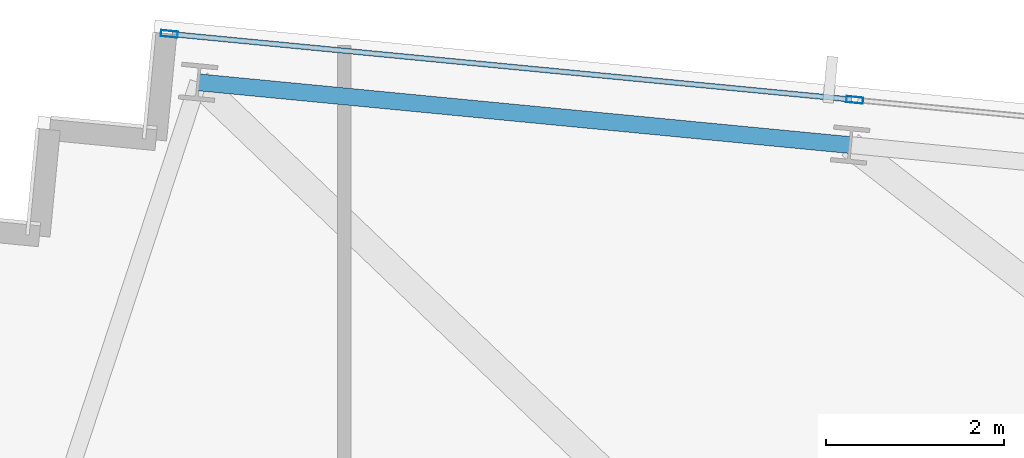
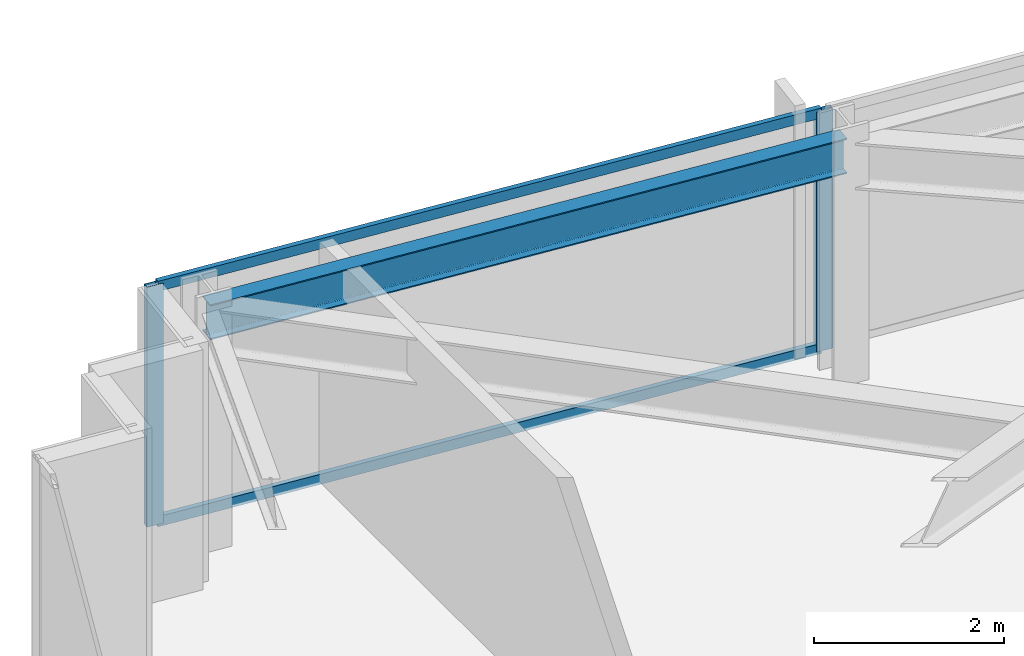
# One storey, part 23 of 38: 4 members, 1 beam, 1 element without a shape of its own.
"""IFC4 building model written with IfcOpenShell, lengths in metres."""

from ifc_helpers import new_model, si_unit, direction, frame, origin, origin_2d, place, context, subcontext, project, spatial, hollow_rectangle, i_section, extrude, material, material_profile, profile_set, type_object, element, aggregate, save


model = new_model("IFC4")

# Units and contexts
model_context = context("Model", 3, precision=1e-05, world=origin(), true_north=direction((0.0, 1.0)))
body_context = subcontext(model_context, "Body", "Model", "MODEL_VIEW")
ifc_project = project(units=[si_unit("LENGTHUNIT", "METRE"), si_unit("AREAUNIT", "SQUARE_METRE"), si_unit("VOLUMEUNIT", "CUBIC_METRE"), si_unit("PLANEANGLEUNIT", "RADIAN"), si_unit("MASSUNIT", "GRAM", prefix="KILO")], contexts=[model_context])

# Site, building, storey
site_placement = place(None, origin())
site = spatial("IfcSite", under=ifc_project, at=site_placement, CompositionType="ELEMENT")
building_placement = place(site_placement, origin())
building = spatial("IfcBuilding", under=site, at=building_placement, Name="Yelkora Congress Tower", CompositionType="ELEMENT")
storey_placement = place(building_placement, frame((0.0, 0.0, 172.10009765625)))
storey = spatial("IfcBuildingStorey", under=building, at=storey_placement, Name="L47", CompositionType="ELEMENT", Elevation=172.10009765625)

# Beam
ifc_material_1 = material(Name="Steel S355J2", Category="steel")
ifc_material_profile_1 = material_profile(ifc_material_1, i_section(OverallWidth=0.18994140625, OverallDepth=0.449951171875, WebThickness=0.009521484375, FlangeThickness=0.0146484375, FilletRadius=0.02099609375, at=origin_2d()), Name="IPE 450")
ifc_profile_set_1 = profile_set([ifc_material_profile_1], Name="Steel S355J2")
beam_type = type_object("IfcBeamType", Name="BM-SPAN-IPE450", PredefinedType="SPANDREL", material=ifc_profile_set_1)
beam_placement = place(storey_placement, frame((14.712158203125, 49.685546875, 2.85498046875), z_axis=(-0.995397104697, 0.095836339457, 0.0), x_axis=(-0.095836339457, -0.995397104697, 0.0)))
element("IfcBeam", 1, at=beam_placement, inside=storey, type_object=beam_type, Name="L47 Perimeter Beam 15", PredefinedType="SPANDREL", context=body_context, shape_type="SweptSolid", body=[
    extrude(i_section(OverallWidth=0.18994140625, OverallDepth=0.449951171875, WebThickness=0.009521484375, FlangeThickness=0.0146484375, FilletRadius=0.02099609375, at=origin_2d()), origin(), (0.0, 0.0, 1.0), 7.357177734375),
])

# Curtain wall, members
ifc_material_2 = material(Name="Anodised aluminium and insulated glass", Category="aluminium")
curtain_wall_type = type_object("IfcCurtainWallType", Name="CW-SYS-B3", PredefinedType="NOTDEFINED", material=ifc_material_2)
curtain_wall_placement = place(storey_placement, origin())
curtain_wall = element("IfcCurtainWall", 2, at=curtain_wall_placement, inside=storey, type_object=curtain_wall_type, Name="L47 Unitised Curtain Wall 10 (1)", PredefinedType="NOTDEFINED")
ifc_material_3 = material(Name="Anodised aluminium 6063-T6", Category="aluminium")
ifc_material_profile_2 = material_profile(ifc_material_3, hollow_rectangle(XDim=0.070068359375, YDim=0.18994140625, WallThickness=0.00390625, at=origin_2d()), Name="ALU 70x190x4")
ifc_profile_set_2 = profile_set([ifc_material_profile_2], Name="Anodised aluminium 6063-T6")
member_type_1 = type_object("IfcMemberType", Name="MEM-ML-B3", PredefinedType="MULLION", material=ifc_profile_set_2)
member_1_placement = place(storey_placement, frame((7.064453125, 50.934326171875, 0.0), z_axis=(0.0, 0.0, 1.0), x_axis=(0.095844761168, 0.995396293823, 0.0)))
member_1 = element("IfcMember", 3, at=member_1_placement, type_object=member_type_1, Name="CW-B3 mullion 1", PredefinedType="MULLION", context=body_context, shape_type="SweptSolid", body=[
    extrude(hollow_rectangle(XDim=0.070068359375, YDim=0.18994140625, WallThickness=0.00390625, at=origin_2d()), origin(), (0.0, 0.0, 1.0), 3.079833984375),
])
member_2_placement = place(storey_placement, frame((14.76318359375, 50.19287109375, 0.0), z_axis=(0.0, 0.0, 1.0), x_axis=(0.095844761168, 0.995396293823, 0.0)))
member_2 = element("IfcMember", 4, at=member_2_placement, type_object=member_type_1, Name="CW-B3 mullion 2", PredefinedType="MULLION", context=body_context, shape_type="SweptSolid", body=[
    extrude(hollow_rectangle(XDim=0.070068359375, YDim=0.18994140625, WallThickness=0.00390625, at=origin_2d()), origin(), (0.0, 0.0, 1.0), 3.079833984375),
])
ifc_material_profile_3 = material_profile(ifc_material_3, hollow_rectangle(XDim=0.06005859375, YDim=0.1298828125, WallThickness=0.00390625, at=origin_2d()), Name="ALU 60x130x4")
ifc_profile_set_3 = profile_set([ifc_material_profile_3], Name="Anodised aluminium 6063-T6")
member_type_2 = type_object("IfcMemberType", Name="MEM-TR-B3", PredefinedType="USERDEFINED", material=ifc_profile_set_3)
member_3_placement = place(storey_placement, frame((7.099365234375, 50.930908203125, 0.02978515625), z_axis=(0.995395712642, -0.09585079683, 0.0), x_axis=(0.09585079683, 0.995395712642, 0.0)))
member_3 = element("IfcMember", 5, at=member_3_placement, type_object=member_type_2, Name="CW-B3 transom 1.1", ObjectType="TRANSOM", PredefinedType="USERDEFINED", context=body_context, shape_type="SweptSolid", body=[
    extrude(hollow_rectangle(XDim=0.06005859375, YDim=0.1298828125, WallThickness=0.00390625, at=origin_2d()), origin(), (0.0, 0.0, 1.0), 7.664306640625),
])
member_4_placement = place(storey_placement, frame((7.099365234375, 50.930908203125, 3.0498046875), z_axis=(0.995395712642, -0.09585079683, 0.0), x_axis=(0.09585079683, 0.995395712642, 0.0)))
member_4 = element("IfcMember", 6, at=member_4_placement, type_object=member_type_2, Name="CW-B3 transom 1.2", ObjectType="TRANSOM", PredefinedType="USERDEFINED", context=body_context, shape_type="SweptSolid", body=[
    extrude(hollow_rectangle(XDim=0.06005859375, YDim=0.1298828125, WallThickness=0.00390625, at=origin_2d()), origin(), (0.0, 0.0, 1.0), 7.664306640625),
])
aggregate(curtain_wall, [member_1, member_2, member_3, member_4])

save(model, "model.ifc")
